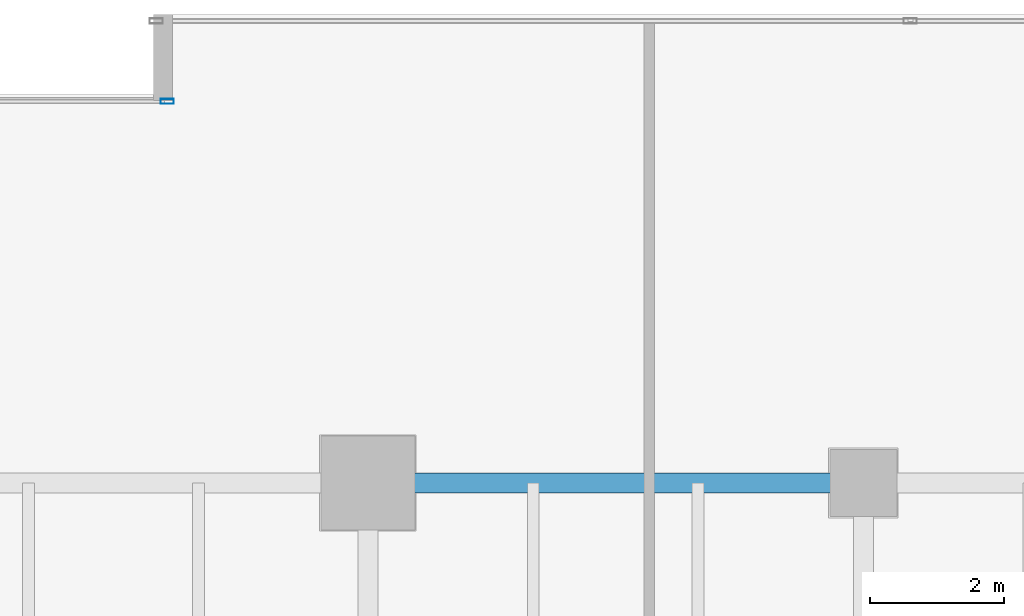
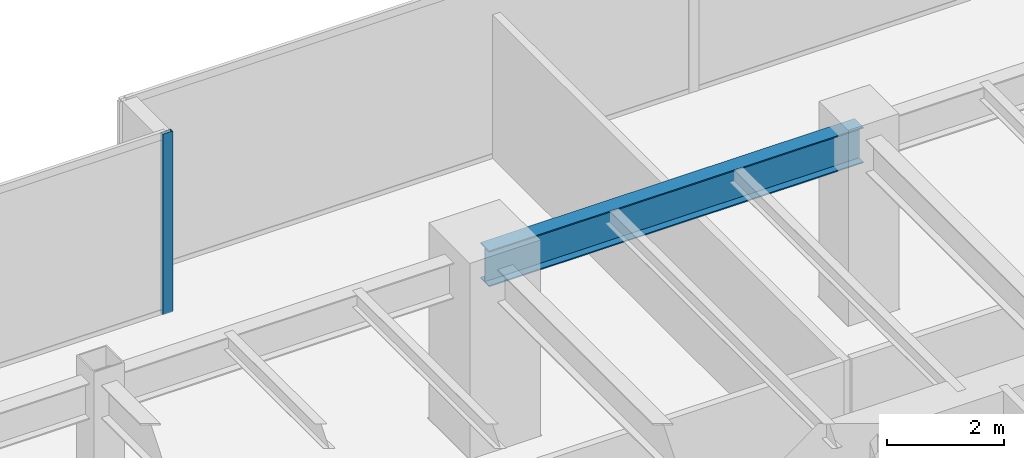
# One storey, part 20 of 36: 1 beam, 1 member, 1 element without a shape of its own.
"""IFC4 building model written with IfcOpenShell, lengths in metres."""

from ifc_helpers import new_model, si_unit, direction, frame, origin, origin_2d, place, context, subcontext, project, spatial, hollow_rectangle, i_section, extrude, source, transform, mapped, material, layer, layer_set, material_profile, profile_set, type_object, type_shapes, element, aggregate, save


model = new_model("IFC4")

# Units and contexts
model_context = context("Model", 3, precision=1e-05, world=origin(), true_north=direction((0.0, 1.0)))
body_context = subcontext(model_context, "Body", "Model", "MODEL_VIEW")
ifc_project = project(units=[si_unit("LENGTHUNIT", "METRE"), si_unit("AREAUNIT", "SQUARE_METRE"), si_unit("VOLUMEUNIT", "CUBIC_METRE"), si_unit("PLANEANGLEUNIT", "RADIAN"), si_unit("MASSUNIT", "GRAM", prefix="KILO")], contexts=[model_context])

# Site, building, storey
site_placement = place(None, origin())
site = spatial("IfcSite", under=ifc_project, at=site_placement, CompositionType="ELEMENT")
building_placement = place(site_placement, origin())
building = spatial("IfcBuilding", under=site, at=building_placement, Name="Haelvirn Gate Laboratories", CompositionType="ELEMENT")
storey_placement = place(building_placement, frame((0.0, 0.0, 49.800048828125)))
storey = spatial("IfcBuildingStorey", under=building, at=storey_placement, Name="L12", CompositionType="ELEMENT", Elevation=49.800048828125)

# Beam
ifc_material_1 = material(Name="Steel SM355", Category="steel")
ifc_material_profile_1 = material_profile(ifc_material_1, i_section(OverallWidth=0.300048828125, OverallDepth=0.75, WebThickness=0.013916015625, FlangeThickness=0.02392578125, at=origin_2d()), Name="H-750x300x14x24")
ifc_profile_set_1 = profile_set([ifc_material_profile_1], Name="Steel SM355")
beam_type = type_object("IfcBeamType", Name="BM-G-750", PredefinedType="BEAM", material=ifc_profile_set_1)
shared_shape_1 = source(origin(), body_context, "Body", "SweptSolid", [
    extrude(i_section(OverallWidth=0.300048828125, OverallDepth=0.75, WebThickness=0.013916015625, FlangeThickness=0.02392578125, at=origin_2d()), origin(), (0.0, 0.0, 1.0), 7.39990234375),
])
type_shapes(beam_type, [shared_shape_1])
beam_placement = place(storey_placement, frame((52.60009765625, 41.60009765625, 3.405029296875), z_axis=(1.0, 0.0, 0.0), x_axis=(0.0, 1.0, 0.0)))
element("IfcBeam", 1, at=beam_placement, inside=storey, type_object=beam_type, Name="L12 Primary Girder Y41.6 (52.6-60.0)", PredefinedType="BEAM", context=body_context, shape_type="MappedRepresentation", body=[
    mapped(shared_shape_1, transform((0.0, 0.0, 0.0), scale=1.0)),
])

# Curtain wall, member
ifc_material_2 = material(Name="Anodised bronze unitised aluminium & triple low-E glass", Category="aluminium")
ifc_layer = layer(ifc_material_2, 0.18408203125, Name="CW-SYS-2")
ifc_layer_set = layer_set([ifc_layer], Name="Anodised bronze unitised aluminium & triple low-E glass")
curtain_wall_type = type_object("IfcCurtainWallType", Name="CW-SYS-2", PredefinedType="NOTDEFINED", material=ifc_layer_set)
curtain_wall_placement = place(storey_placement, origin())
curtain_wall = element("IfcCurtainWall", 2, at=curtain_wall_placement, inside=storey, type_object=curtain_wall_type, Name="L12 Unitised Curtain Wall CW-L12-P0-E12-1", PredefinedType="NOTDEFINED")
ifc_material_3 = material(Name="Extruded aluminium 6063-T6 (anodised bronze)", Category="aluminium")
ifc_material_profile_2 = material_profile(ifc_material_3, hollow_rectangle(XDim=0.074951171875, YDim=0.199951171875, WallThickness=0.0048828125, at=origin_2d()), Name="CWM-200x75x5")
ifc_profile_set_2 = profile_set([ifc_material_profile_2], Name="Extruded aluminium 6063-T6 (anodised bronze)")
member_type = type_object("IfcMemberType", Name="CWM-T200", PredefinedType="MULLION", material=ifc_profile_set_2)
shared_shape_2 = source(origin(), body_context, "Body", "SweptSolid", [
    extrude(hollow_rectangle(XDim=0.074951171875, YDim=0.199951171875, WallThickness=0.0048828125, at=origin_2d()), origin(), (0.0, 0.0, 1.0), 3.780029296875),
])
type_shapes(member_type, [shared_shape_2])
member_placement = place(storey_placement, frame((49.6025390625, 47.300048828125, 0.0), z_axis=(0.0, 0.0, 1.0), x_axis=(0.0, 1.0, 0.0)))
member = element("IfcMember", 3, at=member_placement, type_object=member_type, Name="CW2 mullion 3", PredefinedType="MULLION", context=body_context, shape_type="MappedRepresentation", body=[
    mapped(shared_shape_2, transform((0.0, 0.0, 0.0), scale=1.0)),
])
aggregate(curtain_wall, [member])

save(model, "model.ifc")
